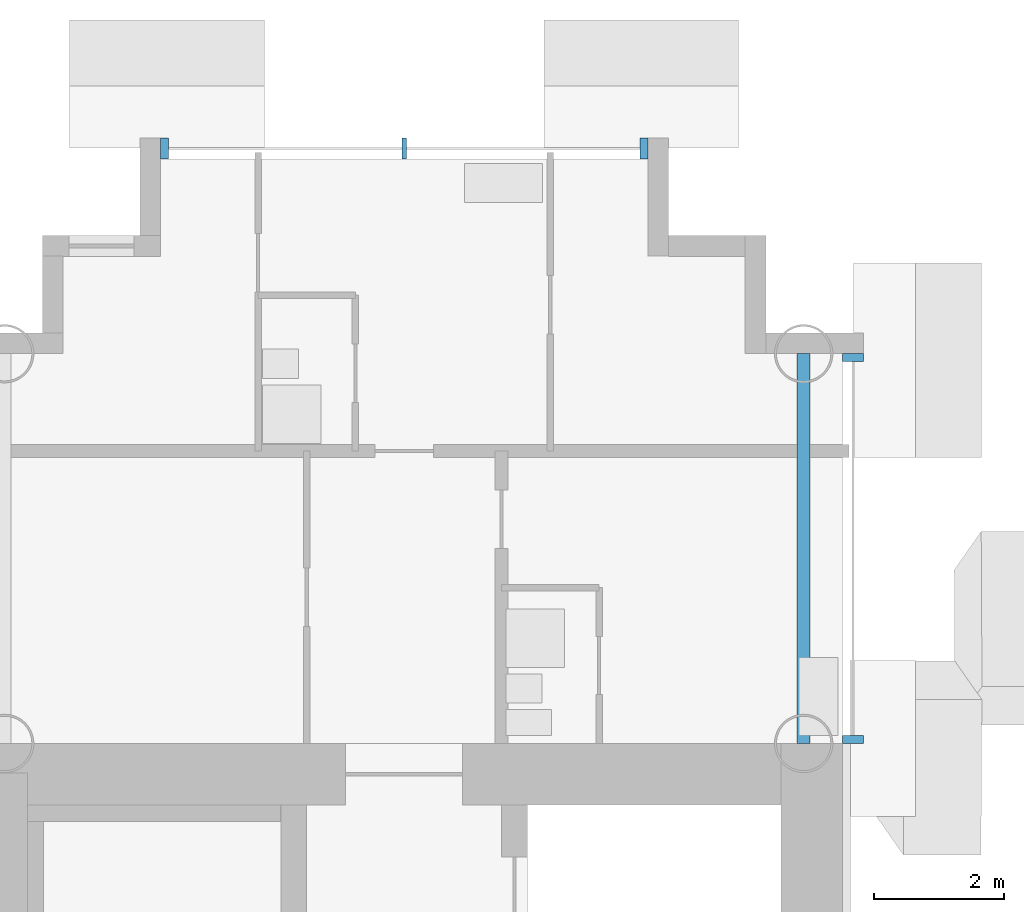
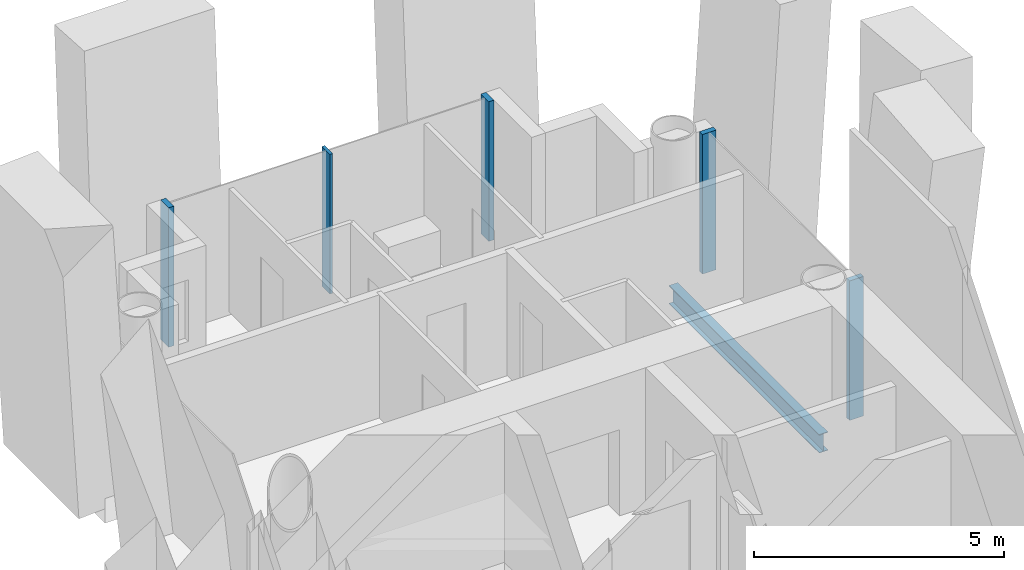
# One storey, part 6 of 21: 5 members, 1 beam, 2 elements without a shape of their own.
"""IFC4 building model written with IfcOpenShell, lengths in metres."""

from ifc_helpers import new_model, si_unit, direction, frame, origin, origin_2d, place, context, subcontext, project, spatial, rectangle, i_section, extrude, material, layer, layer_set, material_profile, profile_set, type_object, element, aggregate, save


model = new_model("IFC4")

# Units and contexts
model_context = context("Model", 3, precision=1e-05, world=origin(), true_north=direction((0.0, 1.0)))
body_context = subcontext(model_context, "Body", "Model", "MODEL_VIEW")
ifc_project = project(units=[si_unit("LENGTHUNIT", "METRE"), si_unit("AREAUNIT", "SQUARE_METRE"), si_unit("VOLUMEUNIT", "CUBIC_METRE"), si_unit("PLANEANGLEUNIT", "RADIAN"), si_unit("MASSUNIT", "GRAM", prefix="KILO")], contexts=[model_context])

# Site, building, storey
site_placement = place(None, origin())
site = spatial("IfcSite", under=ifc_project, at=site_placement, CompositionType="ELEMENT")
building_placement = place(site_placement, origin())
building = spatial("IfcBuilding", under=site, at=building_placement, Name="Ipe Terrace Towers", CompositionType="ELEMENT")
storey_placement = place(building_placement, frame((0.0, 0.0, 107.199951171875)))
storey = spatial("IfcBuildingStorey", under=building, at=storey_placement, Name="L29", CompositionType="ELEMENT", Elevation=107.199951171875)

# Beam
ifc_material_1 = material(Name="Steel S355", Category="steel")
ifc_material_profile_1 = material_profile(ifc_material_1, i_section(OverallWidth=0.199951171875, OverallDepth=0.449951171875, WebThickness=0.009033203125, FlangeThickness=0.013916015625, at=origin_2d()), Name="H-450x200x9x14")
ifc_profile_set_1 = profile_set([ifc_material_profile_1], Name="Steel S355")
beam_type = type_object("IfcBeamType", Name="H08 EDGE BEAM H-450x200x9x14", PredefinedType="BEAM", material=ifc_profile_set_1)
beam_placement = place(storey_placement, frame((42.14990234375, 15.75, -0.625), z_axis=(0.0, 1.0, 0.0), x_axis=(-1.0, 0.0, 0.0)))
element("IfcBeam", 1, at=beam_placement, inside=storey, type_object=beam_type, Name="Edge beam T2-EB-A01-A03", PredefinedType="BEAM", context=body_context, shape_type="SweptSolid", body=[
    extrude(i_section(OverallWidth=0.199951171875, OverallDepth=0.449951171875, WebThickness=0.009033203125, FlangeThickness=0.013916015625, at=origin_2d()), origin(), (0.0, 0.0, 1.0), 6.0),
])

# Curtain wall, members
ifc_material_2 = material(Name="Aluminium alloy 6063-T6", Category="aluminium")
ifc_layer = layer(ifc_material_2, 0.320068359375)
ifc_layer_set = layer_set([ifc_layer], Name="TOWER UNITISED CURTAIN WALL")
curtain_wall_type = type_object("IfcCurtainWallType", Name="TOWER UNITISED CURTAIN WALL", PredefinedType="NOTDEFINED", material=ifc_layer_set)
curtain_wall_1_placement = place(storey_placement, origin())
curtain_wall_1 = element("IfcCurtainWall", 2, at=curtain_wall_1_placement, inside=storey, type_object=curtain_wall_type, Name="T2-CW-L29-16b curtain wall", PredefinedType="NOTDEFINED")
ifc_material_3 = material(Name="Aluminium alloy 6063-T6", Category="aluminium")
ifc_material_profile_2 = material_profile(ifc_material_3, rectangle(XDim=0.320068359375, YDim=0.1201171875, at=origin_2d()), Name="TOWER UNITISED CORNER MULLION 320 x 120")
ifc_profile_set_2 = profile_set([ifc_material_profile_2], Name="Aluminium alloy 6063-T6")
member_type_1 = type_object("IfcMemberType", Name="TOWER UNITISED CORNER MULLION 320 x 120", PredefinedType="MULLION", material=ifc_profile_set_2)
member_1_placement = place(storey_placement, frame((42.909912109375, 15.81103515625, -0.300048828125), z_axis=(0.0, 0.0, 1.0), x_axis=(1.0, 0.0, 0.0)))
member_1 = element("IfcMember", 3, at=member_1_placement, type_object=member_type_1, Name="T2-CW-L29-16b mullion 1", PredefinedType="MULLION", context=body_context, shape_type="SweptSolid", body=[
    extrude(rectangle(XDim=0.320068359375, YDim=0.1201171875, at=origin_2d()), origin(), (0.0, 0.0, 1.0), 3.400146484375),
])
member_2_placement = place(storey_placement, frame((42.909912109375, 21.68994140625, -0.300048828125), z_axis=(0.0, 0.0, 1.0), x_axis=(1.0, 0.0, 0.0)))
member_2 = element("IfcMember", 4, at=member_2_placement, type_object=member_type_1, Name="T2-CW-L29-16b mullion 2", PredefinedType="MULLION", context=body_context, shape_type="SweptSolid", body=[
    extrude(rectangle(XDim=0.320068359375, YDim=0.1201171875, at=origin_2d()), origin(), (0.0, 0.0, 1.0), 3.400146484375),
])
aggregate(curtain_wall_1, [member_1, member_2])

curtain_wall_2_placement = place(storey_placement, origin())
curtain_wall_2 = element("IfcCurtainWall", 5, at=curtain_wall_2_placement, inside=storey, type_object=curtain_wall_type, Name="T2-CW-L29-21a curtain wall", PredefinedType="NOTDEFINED")
member_3_placement = place(storey_placement, frame((39.68994140625, 24.909912109375, -0.300048828125), z_axis=(0.0, 0.0, 1.0), x_axis=(0.0, 1.0, 0.0)))
member_3 = element("IfcMember", 6, at=member_3_placement, type_object=member_type_1, Name="T2-CW-L29-21a mullion 1", PredefinedType="MULLION", context=body_context, shape_type="SweptSolid", body=[
    extrude(rectangle(XDim=0.320068359375, YDim=0.1201171875, at=origin_2d()), origin(), (0.0, 0.0, 1.0), 3.400146484375),
])
member_4_placement = place(storey_placement, frame((32.31005859375, 24.909912109375, -0.300048828125), z_axis=(0.0, 0.0, 1.0), x_axis=(0.0, 1.0, 0.0)))
member_4 = element("IfcMember", 7, at=member_4_placement, type_object=member_type_1, Name="T2-CW-L29-21a mullion 3", PredefinedType="MULLION", context=body_context, shape_type="SweptSolid", body=[
    extrude(rectangle(XDim=0.320068359375, YDim=0.1201171875, at=origin_2d()), origin(), (0.0, 0.0, 1.0), 3.400146484375),
])
ifc_material_4 = material(Name="Aluminium alloy 6063-T6", Category="aluminium")
ifc_material_profile_3 = material_profile(ifc_material_4, rectangle(XDim=0.320068359375, YDim=0.06494140625, at=origin_2d()), Name="TOWER UNITISED MULLION 320 x 65")
ifc_profile_set_3 = profile_set([ifc_material_profile_3], Name="Aluminium alloy 6063-T6")
member_type_2 = type_object("IfcMemberType", Name="TOWER UNITISED MULLION 320 x 65", PredefinedType="MULLION", material=ifc_profile_set_3)
member_5_placement = place(storey_placement, frame((36.0, 24.909912109375, -0.300048828125), z_axis=(0.0, 0.0, 1.0), x_axis=(0.0, 1.0, 0.0)))
member_5 = element("IfcMember", 8, at=member_5_placement, type_object=member_type_2, Name="T2-CW-L29-21a mullion 2", PredefinedType="MULLION", context=body_context, shape_type="SweptSolid", body=[
    extrude(rectangle(XDim=0.320068359375, YDim=0.06494140625, at=origin_2d()), origin(), (0.0, 0.0, 1.0), 3.400146484375),
])
aggregate(curtain_wall_2, [member_3, member_5, member_4])

save(model, "model.ifc")
